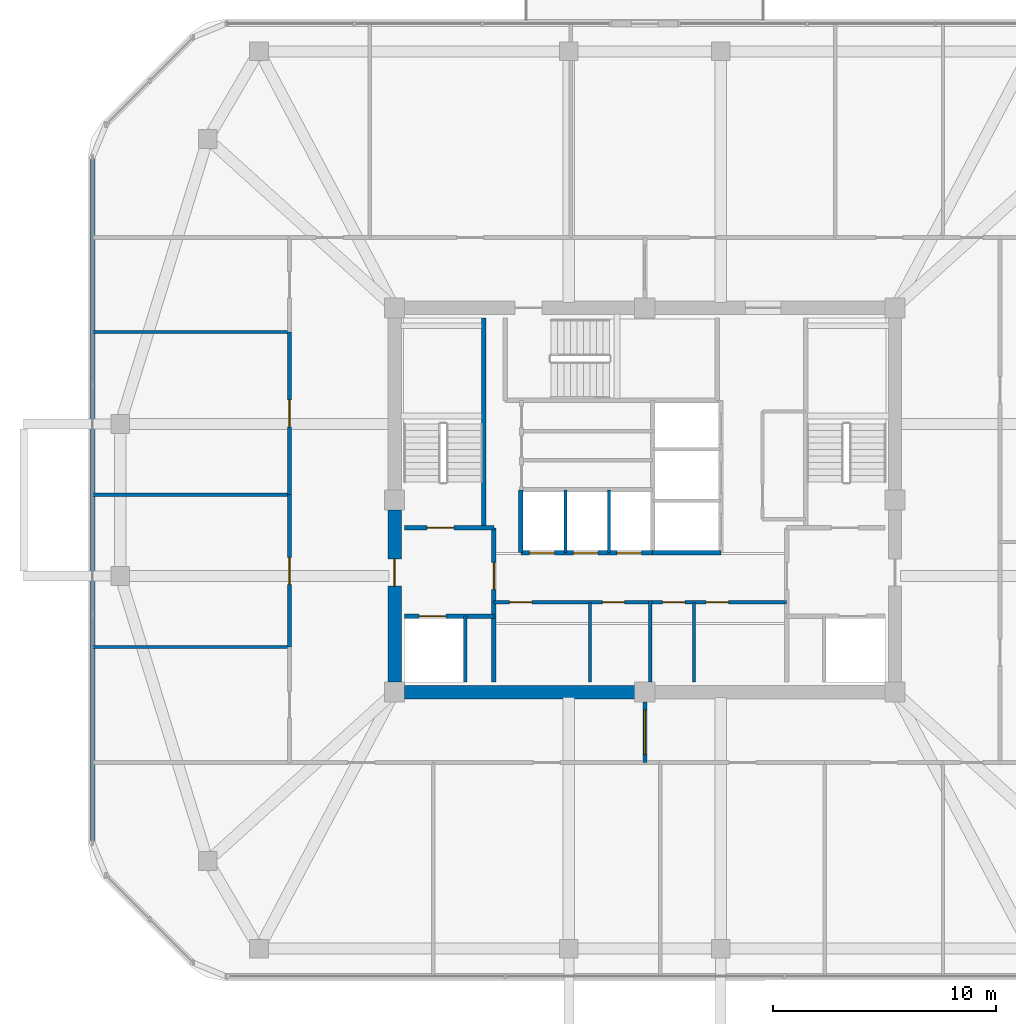
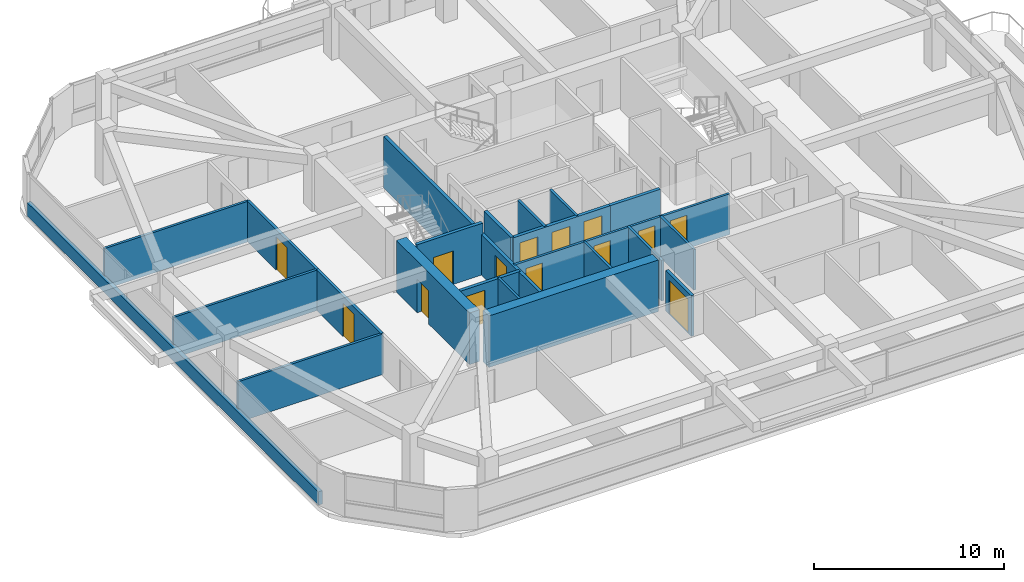
# One storey, part 9 of 14: 24 walls, 14 doors, 14 openings.
"""IFC4 building model written with IfcOpenShell, lengths in metres."""

from ifc_helpers import new_model, si_unit, derived_unit, direction, frame, frame_2d, origin, place, context, subcontext, project, spatial, rectangle, extrude, material, layer, layer_set, type_object, element, fill, save


model = new_model("IFC4")

# Units and contexts
model_context = context("Model", 3, precision=1e-05, world=origin(), true_north=direction((0.0, 1.0)))
body_context = subcontext(model_context, "Body", "Model", "MODEL_VIEW")
ifc_project = project(units=[si_unit("LENGTHUNIT", "METRE"), si_unit("AREAUNIT", "SQUARE_METRE"), si_unit("VOLUMEUNIT", "CUBIC_METRE"), si_unit("PLANEANGLEUNIT", "RADIAN"), si_unit("MASSUNIT", "GRAM", prefix="KILO"), derived_unit("THERMALTRANSMITTANCEUNIT", [(si_unit("POWERUNIT", "WATT"), 1), (si_unit("LENGTHUNIT", "METRE"), -2), (si_unit("THERMODYNAMICTEMPERATUREUNIT", "KELVIN"), -1)])], contexts=[model_context])

# Site, building, storey
site_placement = place(None, origin())
site = spatial("IfcSite", under=ifc_project, at=site_placement, CompositionType="ELEMENT")
building_placement = place(site_placement, origin())
building = spatial("IfcBuilding", under=site, at=building_placement, Name="Koralith Skygarden Medical Center", CompositionType="ELEMENT")
storey_placement = place(building_placement, frame((0.0, 0.0, 246.419921875)))
storey = spatial("IfcBuildingStorey", under=building, at=storey_placement, Name="L63", CompositionType="ELEMENT", Elevation=246.419921875)

# Wall, openings, doors
ifc_material_1 = material(Name="Gypsum Board Partition")
ifc_layer_1 = layer(ifc_material_1, 0.14990234375)
ifc_layer_set_1 = layer_set([ifc_layer_1], Name="Gypsum Board Partition")
wall_type_1 = type_object("IfcWallType", Name="Clinical Acoustic Partition 150", PredefinedType="PARTITIONING", material=ifc_layer_set_1)
wall_1_placement = place(storey_placement, frame((30.25, 21.320068359375, 0.0), z_axis=(0.0, 0.0, 1.0), x_axis=(1.0, 0.0, 0.0)))
wall_1 = element("IfcWall", 1, at=wall_1_placement, inside=storey, type_object=wall_type_1, Name="L63 Clinical Acoustic Partition 150 W-CORE-L63-FREED-LR-N", PredefinedType="PARTITIONING", context=body_context, shape_type="SweptSolid", body=[
    extrude(rectangle(XDim=7.0, YDim=0.14990234375, at=frame_2d((3.5, 0.0))), origin(), (0.0, 0.0, 1.0), 2.610107421875),
])
opening_1_placement = place(wall_1_placement, frame((0.699951171875, 0.0, 0.0)))
opening_1 = element("IfcOpeningElement", 2, at=opening_1_placement, cuts=wall_1, Name="Opening D-SUP", PredefinedType="OPENING", context=body_context, shape_type="SweptSolid", body=[
    extrude(rectangle(XDim=1.0, YDim=2.14990234375, at=frame_2d((0.5, 1.074951171875))), frame((0.0, 0.0849609375, 0.0), z_axis=(0.0, -1.0, 0.0), x_axis=(1.0, 0.0, 0.0)), (0.0, 0.0, 1.0), 0.169921875),
])
opening_2_placement = place(wall_1_placement, frame((4.85009765625, 0.0, 0.0)))
opening_2 = element("IfcOpeningElement", 3, at=opening_2_placement, cuts=wall_1, Name="Opening D-SUP", PredefinedType="OPENING", context=body_context, shape_type="SweptSolid", body=[
    extrude(rectangle(XDim=1.0, YDim=2.14990234375, at=frame_2d((0.5, 1.074951171875))), frame((0.0, 0.0849609375, 0.0), z_axis=(0.0, -1.0, 0.0), x_axis=(1.0, 0.0, 0.0)), (0.0, 0.0, 1.0), 0.169921875),
])
ifc_material_2 = material(Name="Aluminium 6063-T6", Category="aluminium")
door_type_1 = type_object("IfcDoorType", Name="Clinical Support Door D-SUP 1000", OperationType="NOTDEFINED", PredefinedType="DOOR", material=ifc_material_2)
door_1_placement = place(opening_1_placement, frame((1.0, 0.0, 0.0), z_axis=(0.0, 0.0, 1.0), x_axis=(-1.0, 0.0, 0.0)))
door_1 = element("IfcDoor", 4, at=door_1_placement, inside=storey, type_object=door_type_1, Name="L63 Medication Preparation Door", OperationType="SINGLE_SWING_LEFT", OverallHeight=2.14990234375, OverallWidth=1.0, PredefinedType="DOOR", context=body_context, shape_type="SweptSolid", body=[
    extrude(rectangle(XDim=1.0, YDim=2.14990234375, at=frame_2d((0.5, 1.074951171875))), frame((0.0, 0.02490234375, 0.0), z_axis=(0.0, -1.0, 0.0), x_axis=(1.0, 0.0, 0.0)), (0.0, 0.0, 1.0), 0.050048828125),
])
fill(opening_1, door_1)
door_2_placement = place(opening_2_placement, frame((1.0, 0.0, 0.0), z_axis=(0.0, 0.0, 1.0), x_axis=(-1.0, 0.0, 0.0)))
door_2 = element("IfcDoor", 5, at=door_2_placement, inside=storey, type_object=door_type_1, Name="L63 Telemetry Room Door", OperationType="SINGLE_SWING_RIGHT", OverallHeight=2.14990234375, OverallWidth=1.0, PredefinedType="DOOR", context=body_context, shape_type="SweptSolid", body=[
    extrude(rectangle(XDim=1.0, YDim=2.14990234375, at=frame_2d((0.5, 1.074951171875))), frame((0.0, 0.02490234375, 0.0), z_axis=(0.0, -1.0, 0.0), x_axis=(1.0, 0.0, 0.0)), (0.0, 0.0, 1.0), 0.050048828125),
])
fill(opening_2, door_2)

# Wall
wall_2_placement = place(storey_placement, frame((34.550048828125, 17.75, 0.0), z_axis=(0.0, 0.0, 1.0), x_axis=(0.0, 1.0, 0.0)))
element("IfcWall", 6, at=wall_2_placement, inside=storey, type_object=wall_type_1, Name="L63 Clinical Acoustic Partition 150 W-CORE-L63-FREED-LR-M", PredefinedType="PARTITIONING", context=body_context, shape_type="SweptSolid", body=[
    extrude(rectangle(XDim=3.570068359375, YDim=0.14990234375, at=frame_2d((1.78515625, 0.0))), origin(), (0.0, 0.0, 1.0), 2.610107421875),
])

# Wall, openings, doors
wall_3_placement = place(storey_placement, frame((37.25, 21.320068359375, 0.0), z_axis=(0.0, 0.0, 1.0), x_axis=(1.0, 0.0, 0.0)))
wall_3 = element("IfcWall", 7, at=wall_3_placement, inside=storey, type_object=wall_type_1, Name="L63 Clinical Acoustic Partition 150 W-CORE-L63-FREED-MR-N", PredefinedType="PARTITIONING", context=body_context, shape_type="SweptSolid", body=[
    extrude(rectangle(XDim=6.10009765625, YDim=0.14990234375, at=frame_2d((3.050048828125, 0.0))), origin(), (0.0, 0.0, 1.0), 2.610107421875),
])
opening_3_placement = place(wall_3_placement, frame((0.550048828125, 0.0, 0.0)))
opening_3 = element("IfcOpeningElement", 8, at=opening_3_placement, cuts=wall_3, Name="Opening D-SUP", PredefinedType="OPENING", context=body_context, shape_type="SweptSolid", body=[
    extrude(rectangle(XDim=1.0, YDim=2.14990234375, at=frame_2d((0.5, 1.074951171875))), frame((0.0, 0.0849609375, 0.0), z_axis=(0.0, -1.0, 0.0), x_axis=(1.0, 0.0, 0.0)), (0.0, 0.0, 1.0), 0.169921875),
])
opening_4_placement = place(wall_3_placement, frame((2.5, 0.0, 0.0)))
opening_4 = element("IfcOpeningElement", 9, at=opening_4_placement, cuts=wall_3, Name="Opening D-SUP", PredefinedType="OPENING", context=body_context, shape_type="SweptSolid", body=[
    extrude(rectangle(XDim=1.0, YDim=2.14990234375, at=frame_2d((0.5, 1.074951171875))), frame((0.0, 0.0849609375, 0.0), z_axis=(0.0, -1.0, 0.0), x_axis=(1.0, 0.0, 0.0)), (0.0, 0.0, 1.0), 0.169921875),
])
door_3_placement = place(opening_3_placement, frame((1.0, 0.0, 0.0), z_axis=(0.0, 0.0, 1.0), x_axis=(-1.0, 0.0, 0.0)))
door_3 = element("IfcDoor", 10, at=door_3_placement, inside=storey, type_object=door_type_1, Name="L63 Satellite Pharmacy Door", OperationType="SINGLE_SWING_LEFT", OverallHeight=2.14990234375, OverallWidth=1.0, PredefinedType="DOOR", context=body_context, shape_type="SweptSolid", body=[
    extrude(rectangle(XDim=1.0, YDim=2.14990234375, at=frame_2d((0.5, 1.074951171875))), frame((0.0, 0.02490234375, 0.0), z_axis=(0.0, -1.0, 0.0), x_axis=(1.0, 0.0, 0.0)), (0.0, 0.0, 1.0), 0.050048828125),
])
fill(opening_3, door_3)
door_4_placement = place(opening_4_placement, frame((1.0, 0.0, 0.0), z_axis=(0.0, 0.0, 1.0), x_axis=(-1.0, 0.0, 0.0)))
door_4 = element("IfcDoor", 11, at=door_4_placement, inside=storey, type_object=door_type_1, Name="L63 Biomedical Equipment Door", OperationType="SINGLE_SWING_RIGHT", OverallHeight=2.14990234375, OverallWidth=1.0, PredefinedType="DOOR", context=body_context, shape_type="SweptSolid", body=[
    extrude(rectangle(XDim=1.0, YDim=2.14990234375, at=frame_2d((0.5, 1.074951171875))), frame((0.0, 0.02490234375, 0.0), z_axis=(0.0, -1.0, 0.0), x_axis=(1.0, 0.0, 0.0)), (0.0, 0.0, 1.0), 0.050048828125),
])
fill(opening_4, door_4)

# Walls
wall_4_placement = place(storey_placement, frame((39.199951171875, 17.75, 0.0), z_axis=(0.0, 0.0, 1.0), x_axis=(0.0, 1.0, 0.0)))
element("IfcWall", 12, at=wall_4_placement, inside=storey, type_object=wall_type_1, Name="L63 Clinical Acoustic Partition 150 W-CORE-L63-FREED-MR-M", PredefinedType="PARTITIONING", context=body_context, shape_type="SweptSolid", body=[
    extrude(rectangle(XDim=3.570068359375, YDim=0.14990234375, at=frame_2d((1.78515625, 0.0))), origin(), (0.0, 0.0, 1.0), 2.610107421875),
])
for number, where, z_axis, x_axis, name in (
    (13, (21.10009765625, 19.320068359375, 0.0), (0.0, 0.0, 1.0), (-1.0, 0.0, 0.0), "L63 Clinical Acoustic Partition 150 W-PART-L63-W-01"),
    (14, (21.10009765625, 26.135009765625, 0.0), (0.0, 0.0, 1.0), (-1.0, 0.0, 0.0), "L63 Clinical Acoustic Partition 150 W-PART-L63-W-02"),
    (15, (21.10009765625, 33.419921875, 0.0), (0.0, 0.0, 1.0), (-1.0, 0.0, 0.0), "L63 Clinical Acoustic Partition 150 W-PART-L63-W-03"),
):
    element("IfcWall", number, at=place(storey_placement, frame(where, z_axis=z_axis, x_axis=x_axis)), inside=storey, type_object=wall_type_1, Name=name, PredefinedType="PARTITIONING", context=body_context, shape_type="SweptSolid", body=[
        extrude(rectangle(XDim=8.800048828125, YDim=0.14990234375, at=frame_2d((4.39990234375, 0.0))), origin(), (0.0, 0.0, 1.0), 2.610107421875),
    ])

# Wall, opening, door
ifc_layer_2 = layer(ifc_material_1, 0.1650390625)
ifc_layer_set_2 = layer_set([ifc_layer_2], Name="Gypsum Board Partition")
wall_type_2 = type_object("IfcWallType", Name="Clinical Corridor Partition 165", PredefinedType="PARTITIONING", material=ifc_layer_set_2)
wall_5_placement = place(storey_placement, frame((21.10009765625, 19.320068359375, 0.0), z_axis=(0.0, 0.0, 1.0), x_axis=(0.0, 1.0, 0.0)))
wall_5 = element("IfcWall", 16, at=wall_5_placement, inside=storey, type_object=wall_type_2, Name="L63 Clinical Corridor Partition 165 W-CORR-L63-W-02", PredefinedType="PARTITIONING", context=body_context, shape_type="SweptSolid", body=[
    extrude(rectangle(XDim=6.81494140625, YDim=0.1650390625, at=frame_2d((3.407470703125, 0.0))), origin(), (0.0, 0.0, 1.0), 2.610107421875),
])
opening_5_placement = place(wall_5_placement, frame((2.80810546875, 0.0, 0.0)))
opening_5 = element("IfcOpeningElement", 17, at=opening_5_placement, cuts=wall_5, Name="Opening D-CLN", PredefinedType="OPENING", context=body_context, shape_type="SweptSolid", body=[
    extrude(rectangle(XDim=1.199951171875, YDim=2.14990234375, at=frame_2d((0.60009765625, 1.074951171875))), frame((0.0, 0.092529296875, 0.0), z_axis=(0.0, -1.0, 0.0), x_axis=(1.0, 0.0, 0.0)), (0.0, 0.0, 1.0), 0.18505859375),
])
door_type_2 = type_object("IfcDoorType", Name="Clinical Corridor Door D-CLN 1200", OperationType="NOTDEFINED", PredefinedType="DOOR", material=ifc_material_2)
door_5_placement = place(opening_5_placement, frame((1.199951171875, 0.0, 0.0), z_axis=(0.0, 0.0, 1.0), x_axis=(-1.0, 0.0, 0.0)))
door_5 = element("IfcDoor", 18, at=door_5_placement, inside=storey, type_object=door_type_2, Name="L63 Social Work Counseling Office 12 Door", OperationType="SINGLE_SWING_LEFT", OverallHeight=2.14990234375, OverallWidth=1.199951171875, PredefinedType="DOOR", context=body_context, shape_type="SweptSolid", body=[
    extrude(rectangle(XDim=1.199951171875, YDim=2.14990234375, at=frame_2d((0.60009765625, 1.074951171875))), frame((0.0, 0.02490234375, 0.0), z_axis=(0.0, -1.0, 0.0), x_axis=(1.0, 0.0, 0.0)), (0.0, 0.0, 1.0), 0.050048828125),
])
fill(opening_5, door_5)

wall_6_placement = place(storey_placement, frame((21.10009765625, 26.135009765625, 0.0), z_axis=(0.0, 0.0, 1.0), x_axis=(0.0, 1.0, 0.0)))
wall_6 = element("IfcWall", 19, at=wall_6_placement, inside=storey, type_object=wall_type_2, Name="L63 Clinical Corridor Partition 165 W-CORR-L63-W-03", PredefinedType="PARTITIONING", context=body_context, shape_type="SweptSolid", body=[
    extrude(rectangle(XDim=7.284912109375, YDim=0.1650390625, at=frame_2d((3.642578125, 0.0))), origin(), (0.0, 0.0, 1.0), 2.610107421875),
])
opening_6_placement = place(wall_6_placement, frame((3.0419921875, 0.0, 0.0)))
opening_6 = element("IfcOpeningElement", 20, at=opening_6_placement, cuts=wall_6, Name="Opening D-CLN", PredefinedType="OPENING", context=body_context, shape_type="SweptSolid", body=[
    extrude(rectangle(XDim=1.199951171875, YDim=2.14990234375, at=frame_2d((0.60009765625, 1.074951171875))), frame((0.0, 0.092529296875, 0.0), z_axis=(0.0, -1.0, 0.0), x_axis=(1.0, 0.0, 0.0)), (0.0, 0.0, 1.0), 0.18505859375),
])
door_6_placement = place(opening_6_placement, frame((1.199951171875, 0.0, 0.0), z_axis=(0.0, 0.0, 1.0), x_axis=(-1.0, 0.0, 0.0)))
door_6 = element("IfcDoor", 21, at=door_6_placement, inside=storey, type_object=door_type_2, Name="L63 Clinical Consultation Office 13 Door", OperationType="SINGLE_SWING_RIGHT", OverallHeight=2.14990234375, OverallWidth=1.199951171875, PredefinedType="DOOR", context=body_context, shape_type="SweptSolid", body=[
    extrude(rectangle(XDim=1.199951171875, YDim=2.14990234375, at=frame_2d((0.60009765625, 1.074951171875))), frame((0.0, 0.02490234375, 0.0), z_axis=(0.0, -1.0, 0.0), x_axis=(1.0, 0.0, 0.0)), (0.0, 0.0, 1.0), 0.050048828125),
])
fill(opening_6, door_6)

ifc_layer_3 = layer(ifc_material_1, 0.199951171875)
ifc_layer_set_3 = layer_set([ifc_layer_3], Name="Gypsum Board Partition")
wall_type_3 = type_object("IfcWallType", Name="Fire Shaft Wall 200", PredefinedType="SOLIDWALL", material=ifc_layer_set_3)
wall_7_placement = place(storey_placement, frame((26.25, 20.699951171875, 0.0), z_axis=(0.0, 0.0, 1.0), x_axis=(1.0, 0.0, 0.0)))
wall_7 = element("IfcWall", 22, at=wall_7_placement, inside=storey, type_object=wall_type_3, Name="L63 Fire Shaft Wall 200 W-CORE-L63-FF1-N", PredefinedType="SOLIDWALL", context=body_context, shape_type="SweptSolid", body=[
    extrude(rectangle(XDim=4.0, YDim=0.199951171875, at=frame_2d((2.0, 0.0))), origin(), (0.0, 0.0, 1.0), 2.610107421875),
])
opening_7_placement = place(wall_7_placement, frame((0.64990234375, 0.0, 0.0)))
opening_7 = element("IfcOpeningElement", 23, at=opening_7_placement, cuts=wall_7, Name="Opening LD-FF", PredefinedType="OPENING", context=body_context, shape_type="SweptSolid", body=[
    extrude(rectangle(XDim=1.199951171875, YDim=2.14990234375, at=frame_2d((0.60009765625, 1.074951171875))), frame((0.0, 0.10986328125, 0.0), z_axis=(0.0, -1.0, 0.0), x_axis=(1.0, 0.0, 0.0)), (0.0, 0.0, 1.0), 0.219970703125),
])
ifc_material_3 = material(Name="Steel ASTM A500 Grade C", Category="steel")
door_type_3 = type_object("IfcDoorType", Name="Fire Lift Sliding Landing Door LD-FF 1200", OperationType="NOTDEFINED", PredefinedType="DOOR", material=ifc_material_3)
door_7_placement = place(opening_7_placement, origin())
door_7 = element("IfcDoor", 24, at=door_7_placement, inside=storey, type_object=door_type_3, Name="L63 Fire Service Elevator FF1 Landing Door", OperationType="SLIDING_TO_LEFT", OverallHeight=2.14990234375, OverallWidth=1.199951171875, PredefinedType="DOOR", context=body_context, shape_type="SweptSolid", body=[
    extrude(rectangle(XDim=1.199951171875, YDim=2.14990234375, at=frame_2d((0.60009765625, 1.074951171875))), frame((0.0, 0.02490234375, 0.0), z_axis=(0.0, -1.0, 0.0), x_axis=(1.0, 0.0, 0.0)), (0.0, 0.0, 1.0), 0.050048828125),
])
fill(opening_7, door_7)

wall_8_placement = place(storey_placement, frame((30.25, 17.75, 0.0), z_axis=(0.0, 0.0, 1.0), x_axis=(0.0, 1.0, 0.0)))
wall_8 = element("IfcWall", 25, at=wall_8_placement, inside=storey, type_object=wall_type_3, Name="L63 Fire Shaft Wall 200 W-CORE-L63-FSAEW-E", PredefinedType="SOLIDWALL", context=body_context, shape_type="SweptSolid", body=[
    extrude(rectangle(XDim=6.89990234375, YDim=0.199951171875, at=frame_2d((3.449951171875, 0.0))), origin(), (0.0, 0.0, 1.0), 2.610107421875),
])
opening_8_placement = place(wall_8_placement, frame((4.14990234375, 0.0, 0.0)))
opening_8 = element("IfcOpeningElement", 26, at=opening_8_placement, cuts=wall_8, Name="Opening D-ST60", PredefinedType="OPENING", context=body_context, shape_type="SweptSolid", body=[
    extrude(rectangle(XDim=1.199951171875, YDim=2.14990234375, at=frame_2d((0.60009765625, 1.074951171875))), frame((0.0, 0.10986328125, 0.0), z_axis=(0.0, -1.0, 0.0), x_axis=(1.0, 0.0, 0.0)), (0.0, 0.0, 1.0), 0.219970703125),
])
door_type_4 = type_object("IfcDoorType", Name="Smokeproof Stair Fire Door FD60S 1200", OperationType="NOTDEFINED", PredefinedType="DOOR", material=ifc_material_3)
door_8_placement = place(opening_8_placement, origin())
door_8 = element("IfcDoor", 27, at=door_8_placement, inside=storey, type_object=door_type_4, Name="L63 West Firefighting Lobby Inner Fire Door", OperationType="SINGLE_SWING_LEFT", OverallHeight=2.14990234375, OverallWidth=1.199951171875, PredefinedType="DOOR", context=body_context, shape_type="SweptSolid", body=[
    extrude(rectangle(XDim=1.199951171875, YDim=2.14990234375, at=frame_2d((0.60009765625, 1.074951171875))), frame((0.0, 0.02490234375, 0.0), z_axis=(0.0, -1.0, 0.0), x_axis=(1.0, 0.0, 0.0)), (0.0, 0.0, 1.0), 0.050048828125),
])
fill(opening_8, door_8)

# Wall, openings, doors
wall_9_placement = place(storey_placement, frame((31.449951171875, 23.5400390625, 0.0), z_axis=(0.0, 0.0, 1.0), x_axis=(1.0, 0.0, 0.0)))
wall_9 = element("IfcWall", 28, at=wall_9_placement, inside=storey, type_object=wall_type_3, Name="L63 Fire Shaft Wall 200 W-CORE-L63-PH-S", PredefinedType="SOLIDWALL", context=body_context, shape_type="SweptSolid", body=[
    extrude(rectangle(XDim=5.900146484375, YDim=0.199951171875, at=frame_2d((2.9501953125, 0.0))), origin(), (0.0, 0.0, 1.0), 2.610107421875),
])
opening_9_placement = place(wall_9_placement, frame((0.39990234375, 0.0, 0.0)))
opening_9 = element("IfcOpeningElement", 29, at=opening_9_placement, cuts=wall_9, Name="Opening LD-P", PredefinedType="OPENING", context=body_context, shape_type="SweptSolid", body=[
    extrude(rectangle(XDim=1.10009765625, YDim=2.14990234375, at=frame_2d((0.550048828125, 1.074951171875))), frame((0.0, 0.10986328125, 0.0), z_axis=(0.0, -1.0, 0.0), x_axis=(1.0, 0.0, 0.0)), (0.0, 0.0, 1.0), 0.219970703125),
])
opening_10_placement = place(wall_9_placement, frame((2.35009765625, 0.0, 0.0)))
opening_10 = element("IfcOpeningElement", 30, at=opening_10_placement, cuts=wall_9, Name="Opening LD-P", PredefinedType="OPENING", context=body_context, shape_type="SweptSolid", body=[
    extrude(rectangle(XDim=1.10009765625, YDim=2.14990234375, at=frame_2d((0.550048828125, 1.074951171875))), frame((0.0, 0.10986328125, 0.0), z_axis=(0.0, -1.0, 0.0), x_axis=(1.0, 0.0, 0.0)), (0.0, 0.0, 1.0), 0.219970703125),
])
opening_11_placement = place(wall_9_placement, frame((4.300048828125, 0.0, 0.0)))
opening_11 = element("IfcOpeningElement", 31, at=opening_11_placement, cuts=wall_9, Name="Opening LD-P", PredefinedType="OPENING", context=body_context, shape_type="SweptSolid", body=[
    extrude(rectangle(XDim=1.10009765625, YDim=2.14990234375, at=frame_2d((0.550048828125, 1.074951171875))), frame((0.0, 0.10986328125, 0.0), z_axis=(0.0, -1.0, 0.0), x_axis=(1.0, 0.0, 0.0)), (0.0, 0.0, 1.0), 0.219970703125),
])
door_type_5 = type_object("IfcDoorType", Name="Passenger Lift Sliding Landing Door LD-P 1100", OperationType="NOTDEFINED", PredefinedType="DOOR", material=ifc_material_3)
door_9_placement = place(opening_9_placement, origin())
door_9 = element("IfcDoor", 32, at=door_9_placement, inside=storey, type_object=door_type_5, Name="L63 Passenger Elevator PH1 Landing Door", OperationType="SLIDING_TO_RIGHT", OverallHeight=2.14990234375, OverallWidth=1.10009765625, PredefinedType="DOOR", context=body_context, shape_type="SweptSolid", body=[
    extrude(rectangle(XDim=1.10009765625, YDim=2.14990234375, at=frame_2d((0.550048828125, 1.074951171875))), frame((0.0, 0.02490234375, 0.0), z_axis=(0.0, -1.0, 0.0), x_axis=(1.0, 0.0, 0.0)), (0.0, 0.0, 1.0), 0.050048828125),
])
fill(opening_9, door_9)
door_10_placement = place(opening_10_placement, origin())
door_10 = element("IfcDoor", 33, at=door_10_placement, inside=storey, type_object=door_type_5, Name="L63 Passenger Elevator PH2 Landing Door", OperationType="SLIDING_TO_RIGHT", OverallHeight=2.14990234375, OverallWidth=1.10009765625, PredefinedType="DOOR", context=body_context, shape_type="SweptSolid", body=[
    extrude(rectangle(XDim=1.10009765625, YDim=2.14990234375, at=frame_2d((0.550048828125, 1.074951171875))), frame((0.0, 0.02490234375, 0.0), z_axis=(0.0, -1.0, 0.0), x_axis=(1.0, 0.0, 0.0)), (0.0, 0.0, 1.0), 0.050048828125),
])
fill(opening_10, door_10)
door_11_placement = place(opening_11_placement, origin())
door_11 = element("IfcDoor", 34, at=door_11_placement, inside=storey, type_object=door_type_5, Name="L63 Passenger Elevator PH3 Landing Door", OperationType="SLIDING_TO_RIGHT", OverallHeight=2.14990234375, OverallWidth=1.10009765625, PredefinedType="DOOR", context=body_context, shape_type="SweptSolid", body=[
    extrude(rectangle(XDim=1.10009765625, YDim=2.14990234375, at=frame_2d((0.550048828125, 1.074951171875))), frame((0.0, 0.02490234375, 0.0), z_axis=(0.0, -1.0, 0.0), x_axis=(1.0, 0.0, 0.0)), (0.0, 0.0, 1.0), 0.050048828125),
])
fill(opening_11, door_11)

# Walls
wall_10_placement = place(storey_placement, frame((31.449951171875, 23.5400390625, 0.0), z_axis=(0.0, 0.0, 1.0), x_axis=(0.0, 1.0, 0.0)))
element("IfcWall", 35, at=wall_10_placement, inside=storey, type_object=wall_type_3, Name="L63 Fire Shaft Wall 200 W-CORE-L63-PH-W", PredefinedType="SOLIDWALL", context=body_context, shape_type="SweptSolid", body=[
    extrude(rectangle(XDim=2.81005859375, YDim=0.199951171875, at=frame_2d((1.405029296875, 0.0))), origin(), (0.0, 0.0, 1.0), 2.610107421875),
])
wall_11_placement = place(storey_placement, frame((37.35009765625, 23.5400390625, 0.0), z_axis=(0.0, 0.0, 1.0), x_axis=(1.0, 0.0, 0.0)))
element("IfcWall", 36, at=wall_11_placement, inside=storey, type_object=wall_type_3, Name="L63 Fire Shaft Wall 200 W-CORE-L63-SV-S", PredefinedType="SOLIDWALL", context=body_context, shape_type="SweptSolid", body=[
    extrude(rectangle(XDim=3.0498046875, YDim=0.199951171875, at=frame_2d((1.52490234375, 0.0))), origin(), (0.0, 0.0, 1.0), 2.610107421875),
])

# Wall, opening, door
ifc_layer_4 = layer(ifc_material_1, 0.179931640625)
ifc_layer_set_4 = layer_set([ifc_layer_4], Name="Gypsum Board Partition")
wall_type_4 = type_object("IfcWallType", Name="Group I-2 Smoke Barrier Wall 180", PredefinedType="PARTITIONING", material=ifc_layer_set_4)
wall_12_placement = place(storey_placement, frame((37.0, 14.14990234375, 0.0), z_axis=(0.0, 0.0, 1.0), x_axis=(0.0, 1.0, 0.0)))
wall_12 = element("IfcWall", 37, at=wall_12_placement, inside=storey, type_object=wall_type_4, Name="L63 Group I-2 Smoke Barrier Wall 180 W-SMK-L63-S", PredefinedType="PARTITIONING", context=body_context, shape_type="SweptSolid", body=[
    extrude(rectangle(XDim=2.7001953125, YDim=0.179931640625, at=frame_2d((1.35009765625, 0.0))), origin(), (0.0, 0.0, 1.0), 2.610107421875),
])
opening_12_placement = place(wall_12_placement, frame((0.35009765625, 0.0, 0.0)))
opening_12 = element("IfcOpeningElement", 38, at=opening_12_placement, cuts=wall_12, Name="Opening D-SMK", PredefinedType="OPENING", context=body_context, shape_type="SweptSolid", body=[
    extrude(rectangle(XDim=2.0, YDim=2.199951171875, at=frame_2d((1.0, 1.10009765625))), frame((0.0, 0.099853515625, 0.0), z_axis=(0.0, -1.0, 0.0), x_axis=(1.0, 0.0, 0.0)), (0.0, 0.0, 1.0), 0.199951171875),
])
door_type_6 = type_object("IfcDoorType", Name="Cross-Corridor Double Smoke Door FD60S 2000", OperationType="NOTDEFINED", PredefinedType="DOOR", material=ifc_material_3)
door_12_placement = place(opening_12_placement, frame((2.0, 0.0, 0.0), z_axis=(0.0, 0.0, 1.0), x_axis=(-1.0, 0.0, 0.0)))
door_12 = element("IfcDoor", 39, at=door_12_placement, inside=storey, type_object=door_type_6, Name="L63 S Smoke Compartment Cross-Corridor Door", OperationType="DOUBLE_DOOR_SINGLE_SWING", OverallHeight=2.199951171875, OverallWidth=2.0, PredefinedType="DOOR", context=body_context, shape_type="SweptSolid", body=[
    extrude(rectangle(XDim=2.0, YDim=2.199951171875, at=frame_2d((1.0, 1.10009765625))), frame((0.0, 0.02490234375, 0.0), z_axis=(0.0, -1.0, 0.0), x_axis=(1.0, 0.0, 0.0)), (0.0, 0.0, 1.0), 0.050048828125),
])
fill(opening_12, door_12)

# Walls
ifc_material_4 = material(Name="Warm Oolitic Limestone Cladding", Category="masonry")
ifc_layer_5 = layer(ifc_material_4, 0.239990234375)
ifc_layer_set_5 = layer_set([ifc_layer_5], Name="Warm Oolitic Limestone Cladding")
wall_type_5 = type_object("IfcWallType", Name="Limestone Spandrel Sill Backup Wall 240", PredefinedType="SOLIDWALL", material=ifc_layer_set_5)
wall_13_placement = place(storey_placement, frame((12.280029296875, 41.2451171875, 0.0), z_axis=(0.0, 0.0, 1.0), x_axis=(0.0, -1.0, 0.0)))
element("IfcWall", 40, at=wall_13_placement, inside=storey, type_object=wall_type_5, Name="L63 Sill Spandrel W", PredefinedType="SOLIDWALL", context=body_context, shape_type="SweptSolid", body=[
    extrude(rectangle(XDim=30.690185546875, YDim=0.239990234375, at=frame_2d((15.34521484375, 0.0))), origin(), (0.0, 0.0, 1.0), 0.85009765625),
])
ifc_layer_6 = layer(ifc_material_1, 0.14990234375)
ifc_layer_set_6 = layer_set([ifc_layer_6], Name="Gypsum Board Partition")
wall_type_6 = type_object("IfcWallType", Name="Shaft Partition Wall 150", PredefinedType="PARTITIONING", material=ifc_layer_set_6)
wall_14_placement = place(storey_placement, frame((28.969970703125, 17.75, 0.0), z_axis=(0.0, 0.0, 1.0), x_axis=(0.0, 1.0, 0.0)))
element("IfcWall", 41, at=wall_14_placement, inside=storey, type_object=wall_type_6, Name="L63 Shaft Partition Wall 150 W-CORE-L63-RSRW-DIV", PredefinedType="PARTITIONING", context=body_context, shape_type="SweptSolid", body=[
    extrude(rectangle(XDim=2.949951171875, YDim=0.14990234375, at=frame_2d((1.47509765625, 0.0))), origin(), (0.0, 0.0, 1.0), 2.610107421875),
])
wall_15_placement = place(storey_placement, frame((37.25, 17.75, 0.0), z_axis=(0.0, 0.0, 1.0), x_axis=(0.0, 1.0, 0.0)))
element("IfcWall", 42, at=wall_15_placement, inside=storey, type_object=wall_type_6, Name="L63 Shaft Partition Wall 150 W-CORE-L63-PL-PM-SEP", PredefinedType="PARTITIONING", context=body_context, shape_type="SweptSolid", body=[
    extrude(rectangle(XDim=3.64990234375, YDim=0.14990234375, at=frame_2d((1.824951171875, 0.0))), origin(), (0.0, 0.0, 1.0), 2.610107421875),
])
for number, where, z_axis, x_axis, name in (
    (43, (33.449951171875, 23.5400390625, 0.0), (0.0, 0.0, 1.0), (0.0, 1.0, 0.0), "L63 Shaft Partition Wall 150 W-CORE-L63-PH-D1"),
    (44, (35.39990234375, 23.5400390625, 0.0), (0.0, 0.0, 1.0), (0.0, 1.0, 0.0), "L63 Shaft Partition Wall 150 W-CORE-L63-PH-D2"),
):
    element("IfcWall", number, at=place(storey_placement, frame(where, z_axis=z_axis, x_axis=x_axis)), inside=storey, type_object=wall_type_6, Name=name, PredefinedType="PARTITIONING", context=body_context, shape_type="SweptSolid", body=[
        extrude(rectangle(XDim=2.81005859375, YDim=0.14990234375, at=frame_2d((1.405029296875, 0.0))), origin(), (0.0, 0.0, 1.0), 2.610107421875),
    ])
ifc_material_5 = material(Name="Concrete C45/55", Category="concrete")
ifc_layer_7 = layer(ifc_material_5, 0.199951171875)
ifc_layer_set_7 = layer_set([ifc_layer_7], Name="Concrete C45/55")
wall_type_7 = type_object("IfcWallType", Name="Structural Stair Shaft Wall 200", PredefinedType="SHEAR", material=ifc_layer_set_7)
wall_16_placement = place(storey_placement, frame((29.800048828125, 24.64990234375, 0.0), z_axis=(0.0, 0.0, 1.0), x_axis=(0.0, 1.0, 0.0)))
element("IfcWall", 45, at=wall_16_placement, inside=storey, type_object=wall_type_7, Name="L63 Structural Stair Shaft Wall 200 W-CORE-L63-ST1-E", PredefinedType="SHEAR", context=body_context, shape_type="SweptSolid", body=[
    extrude(rectangle(XDim=9.400146484375, YDim=0.199951171875, at=frame_2d((4.7001953125, 0.0))), origin(), (0.0, 0.0, 1.0), 3.320068359375),
])

# Wall, opening, door
wall_17_placement = place(storey_placement, frame((26.25, 24.64990234375, 0.0), z_axis=(0.0, 0.0, 1.0), x_axis=(1.0, 0.0, 0.0)))
wall_17 = element("IfcWall", 46, at=wall_17_placement, inside=storey, type_object=wall_type_7, Name="L63 Structural Stair Shaft Wall 200 W-CORE-L63-ST1-S", PredefinedType="SHEAR", context=body_context, shape_type="SweptSolid", body=[
    extrude(rectangle(XDim=4.0, YDim=0.199951171875, at=frame_2d((2.0, 0.0))), origin(), (0.0, 0.0, 1.0), 3.320068359375),
])
opening_13_placement = place(wall_17_placement, frame((1.0, 0.0, 0.0)))
opening_13 = element("IfcOpeningElement", 47, at=opening_13_placement, cuts=wall_17, Name="Opening D-ST60", PredefinedType="OPENING", context=body_context, shape_type="SweptSolid", body=[
    extrude(rectangle(XDim=1.199951171875, YDim=2.14990234375, at=frame_2d((0.60009765625, 1.074951171875))), frame((0.0, 0.10986328125, 0.0), z_axis=(0.0, -1.0, 0.0), x_axis=(1.0, 0.0, 0.0)), (0.0, 0.0, 1.0), 0.219970703125),
])
door_13_placement = place(opening_13_placement, origin())
door_13 = element("IfcDoor", 48, at=door_13_placement, inside=storey, type_object=door_type_4, Name="L63 Exit Stair ST1 Fire Door", OperationType="SINGLE_SWING_LEFT", OverallHeight=2.14990234375, OverallWidth=1.199951171875, PredefinedType="DOOR", context=body_context, shape_type="SweptSolid", body=[
    extrude(rectangle(XDim=1.199951171875, YDim=2.14990234375, at=frame_2d((0.60009765625, 1.074951171875))), frame((0.0, 0.02490234375, 0.0), z_axis=(0.0, -1.0, 0.0), x_axis=(1.0, 0.0, 0.0)), (0.0, 0.0, 1.0), 0.050048828125),
])
fill(opening_13, door_13)

# Wall
ifc_material_6 = material(Name="Concrete C55/67", Category="concrete")
ifc_layer_8 = layer(ifc_material_6, 0.60009765625)
ifc_layer_set_8 = layer_set([ifc_layer_8], Name="Concrete C55/67")
wall_type_8 = type_object("IfcWallType", Name="Upper Core Shear Wall 600", PredefinedType="SHEAR", material=ifc_layer_set_8)
wall_18_placement = place(storey_placement, frame((26.2451171875, 17.300048828125, 0.0), z_axis=(0.0, 0.0, 1.0), x_axis=(1.0, 0.0, 0.0)))
element("IfcWall", 49, at=wall_18_placement, inside=storey, type_object=wall_type_8, Name="L63 Core Shear Wall Segment 1", PredefinedType="SHEAR", context=body_context, shape_type="SweptSolid", body=[
    extrude(rectangle(XDim=10.309814453125, YDim=0.60009765625, at=frame_2d((5.15478515625, 0.0))), origin(), (0.0, 0.0, 1.0), 3.320068359375),
])

# Wall, opening, door
wall_19_placement = place(storey_placement, frame((25.800048828125, 25.455078125, 0.0), z_axis=(0.0, 0.0, 1.0), x_axis=(0.0, -1.0, 0.0)))
wall_19 = element("IfcWall", 50, at=wall_19_placement, inside=storey, type_object=wall_type_8, Name="L63 Core Shear Wall Segment 8", PredefinedType="SHEAR", context=body_context, shape_type="SweptSolid", body=[
    extrude(rectangle(XDim=7.7099609375, YDim=0.60009765625, at=frame_2d((3.85498046875, 0.0))), origin(), (0.0, 0.0, 1.0), 3.320068359375),
])
opening_14_placement = place(wall_19_placement, frame((2.205078125, 0.0, 0.0)))
opening_14 = element("IfcOpeningElement", 51, at=opening_14_placement, cuts=wall_19, Name="Opening D-ST60", PredefinedType="OPENING", context=body_context, shape_type="SweptSolid", body=[
    extrude(rectangle(XDim=1.199951171875, YDim=2.14990234375, at=frame_2d((0.60009765625, 1.074951171875))), frame((0.0, 0.31005859375, 0.0), z_axis=(0.0, -1.0, 0.0), x_axis=(1.0, 0.0, 0.0)), (0.0, 0.0, 1.0), 0.6201171875),
])
door_14_placement = place(opening_14_placement, frame((1.199951171875, 0.0, 0.0), z_axis=(0.0, 0.0, 1.0), x_axis=(-1.0, 0.0, 0.0)))
door_14 = element("IfcDoor", 52, at=door_14_placement, inside=storey, type_object=door_type_4, Name="L63 West Corridor to Firefighting Lobby Door", OperationType="SINGLE_SWING_LEFT", OverallHeight=2.14990234375, OverallWidth=1.199951171875, PredefinedType="DOOR", context=body_context, shape_type="SweptSolid", body=[
    extrude(rectangle(XDim=1.199951171875, YDim=2.14990234375, at=frame_2d((0.60009765625, 1.074951171875))), frame((0.0, 0.02490234375, 0.0), z_axis=(0.0, -1.0, 0.0), x_axis=(1.0, 0.0, 0.0)), (0.0, 0.0, 1.0), 0.050048828125),
])
fill(opening_14, door_14)

save(model, "model.ifc")
